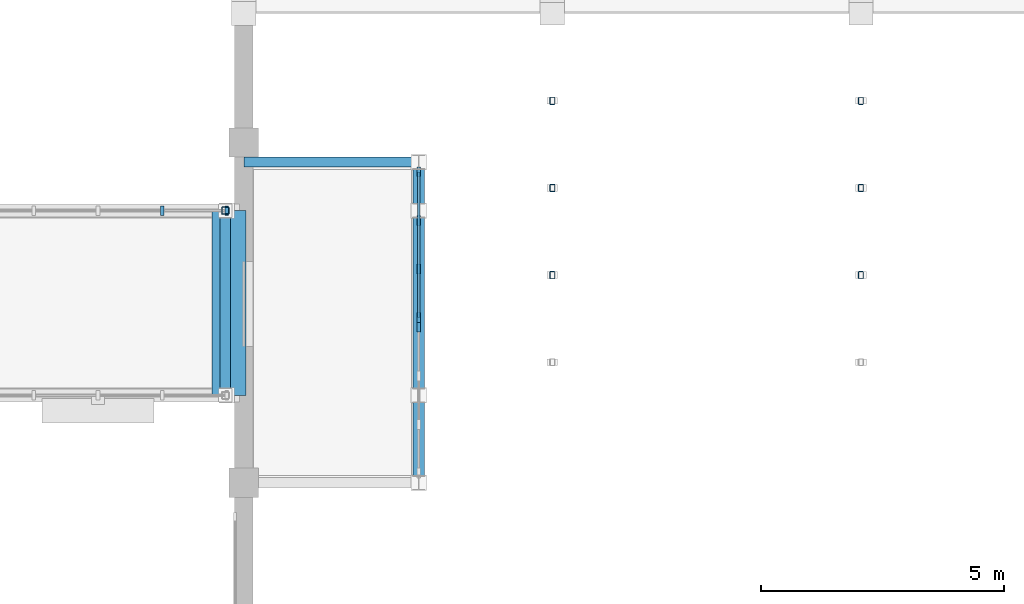
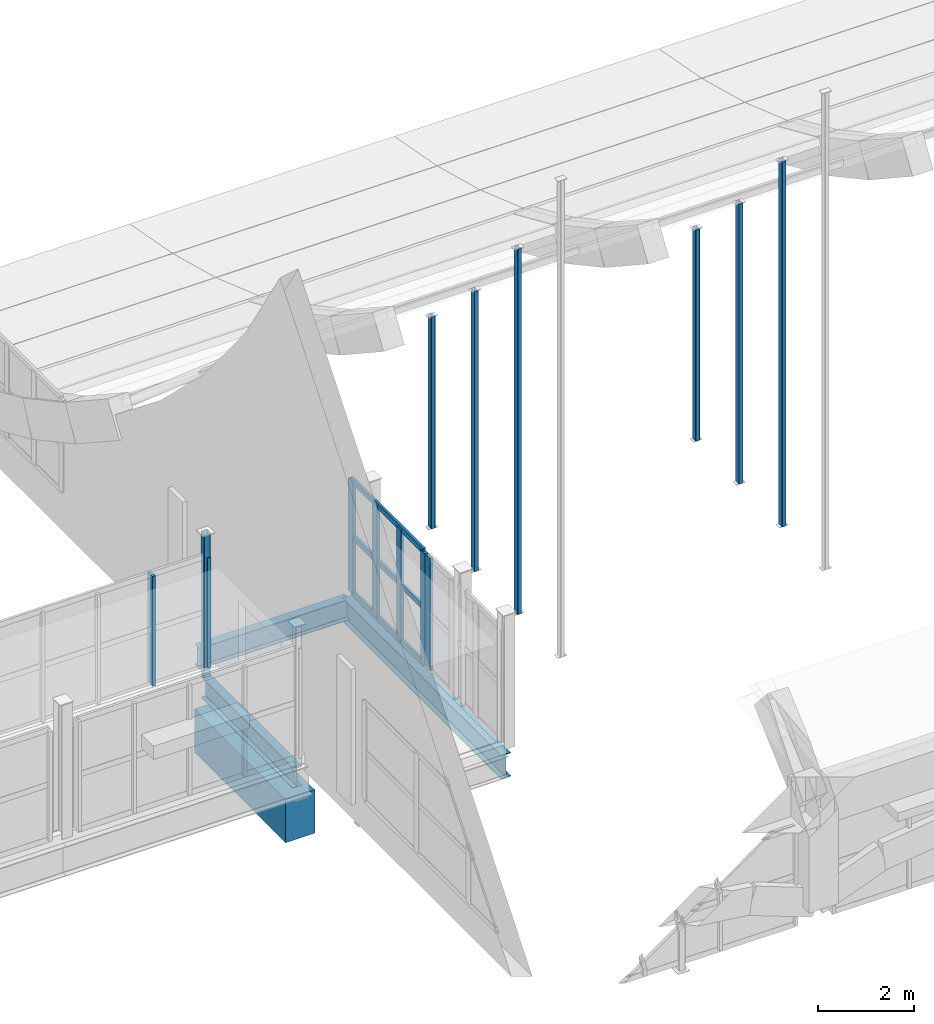
# One storey, part 19 of 77: 17 members, 4 beams, 3 elements without a shape of their own.
"""IFC4 building model written with IfcOpenShell, lengths in metres."""

from ifc_helpers import new_model, si_unit, direction, frame, origin, origin_2d, place, context, subcontext, project, spatial, rectangle, hollow_rectangle, i_section, extrude, material, layer, layer_set, material_profile, profile_set, type_object, element, aggregate, save


model = new_model("IFC4")

# Units and contexts
model_context = context("Model", 3, precision=1e-05, world=origin(), true_north=direction((0.0, 1.0)))
body_context = subcontext(model_context, "Body", "Model", "MODEL_VIEW")
ifc_project = project(units=[si_unit("LENGTHUNIT", "METRE"), si_unit("AREAUNIT", "SQUARE_METRE"), si_unit("VOLUMEUNIT", "CUBIC_METRE"), si_unit("PLANEANGLEUNIT", "RADIAN"), si_unit("MASSUNIT", "GRAM", prefix="KILO")], contexts=[model_context])

# Site, building, storey
site_placement = place(None, origin())
site = spatial("IfcSite", under=ifc_project, at=site_placement, CompositionType="ELEMENT")
building_placement = place(site_placement, origin())
building = spatial("IfcBuilding", under=site, at=building_placement, Name="Trellovar Central Fire Station", CompositionType="ELEMENT")
storey_placement = place(building_placement, frame((0.0, 0.0, 5.85009765625)))
storey = spatial("IfcBuildingStorey", under=building, at=storey_placement, Name="L02", CompositionType="ELEMENT", Elevation=5.85009765625)

# Beams
ifc_material_1 = material(Name="Concrete C40/50", Category="concrete")
ifc_material_profile_1 = material_profile(ifc_material_1, rectangle(XDim=0.699951171875, YDim=1.10009765625, at=origin_2d()), Name="RC700X1100")
ifc_profile_set_1 = profile_set([ifc_material_profile_1], Name="Concrete C40/50")
beam_type_1 = type_object("IfcBeamType", Name="BM-RG1", PredefinedType="BEAM", material=ifc_profile_set_1)
beam_1_placement = place(storey_placement, frame((34.699951171875, 23.800048828125, -1.550048828125), z_axis=(0.0, 1.0, 0.0), x_axis=(-1.0, 0.0, 0.0)))
element("IfcBeam", 1, at=beam_1_placement, inside=storey, type_object=beam_type_1, Name="Cloister bridge east 650 mm RC seat beam", PredefinedType="BEAM", context=body_context, shape_type="SweptSolid", body=[
    extrude(rectangle(XDim=0.699951171875, YDim=1.10009765625, at=origin_2d()), origin(), (0.0, 0.0, 1.0), 3.800048828125),
])
ifc_material_2 = material(Name="Steel ASTM A992 Grade 50", Category="steel")
ifc_material_profile_2 = material_profile(ifc_material_2, i_section(OverallWidth=0.227783203125, OverallDepth=0.60205078125, WebThickness=0.010498046875, FlangeThickness=0.014892578125, FilletRadius=0.01513671875, at=origin_2d()), Name="W24X68")
ifc_profile_set_2 = profile_set([ifc_material_profile_2], Name="Steel ASTM A992 Grade 50")
beam_type_2 = type_object("IfcBeamType", Name="BM-SW6", PredefinedType="BEAM", material=ifc_profile_set_2)
beam_2_placement = place(storey_placement, frame((38.60009765625, 22.0, -0.541015625), z_axis=(0.0, 1.0, 0.0), x_axis=(-1.0, 0.0, 0.0)))
element("IfcBeam", 2, at=beam_2_placement, inside=storey, type_object=beam_type_2, Name="V1 west gallery outer edge beam", PredefinedType="BEAM", context=body_context, shape_type="SweptSolid", body=[
    extrude(i_section(OverallWidth=0.227783203125, OverallDepth=0.60205078125, WebThickness=0.010498046875, FlangeThickness=0.014892578125, FilletRadius=0.01513671875, at=origin_2d()), origin(), (0.0, 0.0, 1.0), 6.60009765625),
])
ifc_material_3 = material(Name="Steel ASTM A992 Grade 50", Category="steel")
ifc_material_profile_3 = material_profile(ifc_material_3, i_section(OverallWidth=0.209228515625, OverallDepth=0.533447265625, WebThickness=0.01025390625, FlangeThickness=0.015625, FilletRadius=0.013916015625, at=origin_2d()), Name="W21X62")
ifc_profile_set_3 = profile_set([ifc_material_profile_3], Name="Steel ASTM A992 Grade 50")
beam_type_3 = type_object("IfcBeamType", Name="BM-SW7", PredefinedType="BEAM", material=ifc_profile_set_3)
beam_3_placement = place(storey_placement, frame((34.6201171875, 23.800048828125, -0.5068359375), z_axis=(0.0, 1.0, 0.0), x_axis=(-1.0, 0.0, 0.0)))
element("IfcBeam", 3, at=beam_3_placement, inside=storey, type_object=beam_type_3, Name="Cloister bridge east diaphragm beam", PredefinedType="BEAM", context=body_context, shape_type="SweptSolid", body=[
    extrude(i_section(OverallWidth=0.209228515625, OverallDepth=0.533447265625, WebThickness=0.01025390625, FlangeThickness=0.015625, FilletRadius=0.013916015625, at=origin_2d()), origin(), (0.0, 0.0, 1.0), 3.800048828125),
])
beam_4_placement = place(storey_placement, frame((35.0, 28.60009765625, -0.5068359375), z_axis=(1.0, 0.0, 0.0), x_axis=(0.0, 1.0, 0.0)))
element("IfcBeam", 4, at=beam_4_placement, inside=storey, type_object=beam_type_3, Name="V1 west gallery tie beam", PredefinedType="BEAM", context=body_context, shape_type="SweptSolid", body=[
    extrude(i_section(OverallWidth=0.209228515625, OverallDepth=0.533447265625, WebThickness=0.01025390625, FlangeThickness=0.015625, FilletRadius=0.013916015625, at=origin_2d()), origin(), (0.0, 0.0, 1.0), 3.60009765625),
])

# Curtain wall, members
ifc_material_4 = material(Name="Thermally broken bronze anodized aluminum", Category="aluminium")
ifc_layer_1 = layer(ifc_material_4, 0.159912109375)
ifc_layer_set_1 = layer_set([ifc_layer_1], Name="Thermally broken bronze anodized aluminum")
curtain_wall_type_1 = type_object("IfcCurtainWallType", Name="CW-14", PredefinedType="NOTDEFINED", material=ifc_layer_set_1)
curtain_wall_1_placement = place(storey_placement, origin())
curtain_wall_1 = element("IfcCurtainWall", 5, at=curtain_wall_1_placement, inside=storey, type_object=curtain_wall_type_1, Name="Cloister skybridge north curtain wall", PredefinedType="NOTDEFINED")
ifc_material_5 = material(Name="Thermally broken bronze anodized aluminum", Category="aluminium")
ifc_material_profile_4 = material_profile(ifc_material_5, rectangle(XDim=0.074951171875, YDim=0.199951171875, at=origin_2d()), Name="ALU75X200")
ifc_profile_set_4 = profile_set([ifc_material_profile_4], Name="Thermally broken bronze anodized aluminum")
member_type_1 = type_object("IfcMemberType", Name="CWM-1", PredefinedType="MULLION", material=ifc_profile_set_4)
member_1_placement = place(storey_placement, frame((34.64990234375, 27.60009765625, 0.0), z_axis=(0.0, 0.0, 1.0), x_axis=(1.0, 0.0, 0.0)))
member_1 = element("IfcMember", 6, at=member_1_placement, type_object=member_type_1, Name="CW3-L02-0024 mullion 1", PredefinedType="MULLION", context=body_context, shape_type="SweptSolid", body=[
    extrude(rectangle(XDim=0.074951171875, YDim=0.199951171875, at=origin_2d()), origin(), (0.0, 0.0, 1.0), 2.787841796875),
])
member_2_placement = place(storey_placement, frame((33.324951171875, 27.60009765625, 0.0), z_axis=(0.0, 0.0, 1.0), x_axis=(1.0, 0.0, 0.0)))
member_2 = element("IfcMember", 7, at=member_2_placement, type_object=member_type_1, Name="CW3-L02-0024 mullion 2", PredefinedType="MULLION", context=body_context, shape_type="SweptSolid", body=[
    extrude(rectangle(XDim=0.074951171875, YDim=0.199951171875, at=origin_2d()), origin(), (0.0, 0.0, 1.0), 2.787841796875),
])
aggregate(curtain_wall_1, [member_1, member_2])

# Curtain wall, member
ifc_material_6 = material(Name="Thermally broken bronze anodized aluminum", Category="aluminium")
ifc_layer_2 = layer(ifc_material_6, 0.159912109375)
ifc_layer_set_2 = layer_set([ifc_layer_2], Name="Thermally broken bronze anodized aluminum")
curtain_wall_type_2 = type_object("IfcCurtainWallType", Name="CW-11", PredefinedType="NOTDEFINED", material=ifc_layer_set_2)
curtain_wall_2_placement = place(storey_placement, origin())
curtain_wall_2 = element("IfcCurtainWall", 8, at=curtain_wall_2_placement, inside=storey, type_object=curtain_wall_type_2, Name="V1 west vault gallery screen S", PredefinedType="NOTDEFINED")
member_3_placement = place(storey_placement, frame((38.60009765625, 25.199951171875, 0.0), z_axis=(0.0, 0.0, 1.0), x_axis=(1.0, 0.0, 0.0)))
member_3 = element("IfcMember", 9, at=member_3_placement, type_object=member_type_1, Name="CW3-L02-0025 mullion 4", PredefinedType="MULLION", context=body_context, shape_type="SweptSolid", body=[
    extrude(rectangle(XDim=0.074951171875, YDim=0.199951171875, at=origin_2d()), origin(), (0.0, 0.0, 1.0), 2.849853515625),
])
aggregate(curtain_wall_2, [member_3])

# Curtain wall, members
curtain_wall_3_placement = place(storey_placement, origin())
curtain_wall_3 = element("IfcCurtainWall", 10, at=curtain_wall_3_placement, inside=storey, type_object=curtain_wall_type_2, Name="V1 west vault gallery screen N", PredefinedType="NOTDEFINED")
member_4_placement = place(storey_placement, frame((38.60009765625, 25.39990234375, 0.0), z_axis=(0.0, 0.0, 1.0), x_axis=(1.0, 0.0, 0.0)))
member_4 = element("IfcMember", 11, at=member_4_placement, type_object=member_type_1, Name="CW3-L02-0026 mullion 1", PredefinedType="MULLION", context=body_context, shape_type="SweptSolid", body=[
    extrude(rectangle(XDim=0.074951171875, YDim=0.199951171875, at=origin_2d()), origin(), (0.0, 0.0, 1.0), 2.849853515625),
])
member_5_placement = place(storey_placement, frame((38.60009765625, 26.39990234375, 0.0), z_axis=(0.0, 0.0, 1.0), x_axis=(1.0, 0.0, 0.0)))
member_5 = element("IfcMember", 12, at=member_5_placement, type_object=member_type_1, Name="CW3-L02-0026 mullion 2", PredefinedType="MULLION", context=body_context, shape_type="SweptSolid", body=[
    extrude(rectangle(XDim=0.074951171875, YDim=0.199951171875, at=origin_2d()), origin(), (0.0, 0.0, 1.0), 2.849853515625),
])
member_6_placement = place(storey_placement, frame((38.60009765625, 27.39990234375, 0.0), z_axis=(0.0, 0.0, 1.0), x_axis=(1.0, 0.0, 0.0)))
member_6 = element("IfcMember", 13, at=member_6_placement, type_object=member_type_1, Name="CW3-L02-0026 mullion 3", PredefinedType="MULLION", context=body_context, shape_type="SweptSolid", body=[
    extrude(rectangle(XDim=0.074951171875, YDim=0.199951171875, at=origin_2d()), origin(), (0.0, 0.0, 1.0), 2.849853515625),
])
member_7_placement = place(storey_placement, frame((38.60009765625, 28.39990234375, 0.0), z_axis=(0.0, 0.0, 1.0), x_axis=(1.0, 0.0, 0.0)))
member_7 = element("IfcMember", 14, at=member_7_placement, type_object=member_type_1, Name="CW3-L02-0026 mullion 4", PredefinedType="MULLION", context=body_context, shape_type="SweptSolid", body=[
    extrude(rectangle(XDim=0.074951171875, YDim=0.199951171875, at=origin_2d()), origin(), (0.0, 0.0, 1.0), 2.849853515625),
])
ifc_material_7 = material(Name="Thermally broken bronze anodized aluminum", Category="aluminium")
ifc_material_profile_5 = material_profile(ifc_material_7, rectangle(XDim=0.06005859375, YDim=0.139892578125, at=origin_2d()), Name="ALU60X140")
ifc_profile_set_5 = profile_set([ifc_material_profile_5], Name="Thermally broken bronze anodized aluminum")
member_type_2 = type_object("IfcMemberType", Name="CWT-1", PredefinedType="USERDEFINED", material=ifc_profile_set_5)
member_8_placement = place(storey_placement, frame((38.60009765625, 25.39990234375, 0.0), z_axis=(0.0, 1.0, 0.0), x_axis=(-1.0, 0.0, 0.0)))
member_8 = element("IfcMember", 15, at=member_8_placement, type_object=member_type_2, Name="CW3-L02-0026 transom 1", ObjectType="TRANSOM", PredefinedType="USERDEFINED", context=body_context, shape_type="SweptSolid", body=[
    extrude(rectangle(XDim=0.06005859375, YDim=0.139892578125, at=origin_2d()), origin(), (0.0, 0.0, 1.0), 3.0),
])
member_9_placement = place(storey_placement, frame((38.60009765625, 25.39990234375, 1.4248046875), z_axis=(0.0, 1.0, 0.0), x_axis=(-1.0, 0.0, 0.0)))
member_9 = element("IfcMember", 16, at=member_9_placement, type_object=member_type_2, Name="CW3-L02-0026 transom 2", ObjectType="TRANSOM", PredefinedType="USERDEFINED", context=body_context, shape_type="SweptSolid", body=[
    extrude(rectangle(XDim=0.06005859375, YDim=0.139892578125, at=origin_2d()), origin(), (0.0, 0.0, 1.0), 3.0),
])
member_10_placement = place(storey_placement, frame((38.60009765625, 25.39990234375, 2.849853515625), z_axis=(0.0, 1.0, 0.0), x_axis=(-1.0, 0.0, 0.0)))
member_10 = element("IfcMember", 17, at=member_10_placement, type_object=member_type_2, Name="CW3-L02-0026 transom 3", ObjectType="TRANSOM", PredefinedType="USERDEFINED", context=body_context, shape_type="SweptSolid", body=[
    extrude(rectangle(XDim=0.06005859375, YDim=0.139892578125, at=origin_2d()), origin(), (0.0, 0.0, 1.0), 3.0),
])
aggregate(curtain_wall_3, [member_4, member_5, member_6, member_7, member_8, member_9, member_10])

# Members
ifc_material_8 = material(Name="Steel ASTM A500 Grade C", Category="steel")
ifc_material_profile_6 = material_profile(ifc_material_8, hollow_rectangle(XDim=0.15234375, YDim=0.15234375, WallThickness=0.0087890625, InnerFilletRadius=0.0087890625, OuterFilletRadius=0.017822265625, at=origin_2d()), Name="HSS6X6X3/8")
ifc_profile_set_6 = profile_set([ifc_material_profile_6], Name="Steel ASTM A500 Grade C")
member_type_3 = type_object("IfcMemberType", Name="MEM-ST1", PredefinedType="STRUT", material=ifc_profile_set_6)
member_11_placement = place(storey_placement, frame((34.6201171875, 27.60009765625, -0.239990234375), z_axis=(0.0, 0.0, 1.0), x_axis=(1.0, 0.0, 0.0)))
element("IfcMember", 18, at=member_11_placement, inside=storey, type_object=member_type_3, Name="Cloister bridge seated portal post", PredefinedType="STRUT", context=body_context, shape_type="SweptSolid", body=[
    extrude(hollow_rectangle(XDim=0.15234375, YDim=0.15234375, WallThickness=0.0087890625, InnerFilletRadius=0.0087890625, OuterFilletRadius=0.017822265625, at=origin_2d()), origin(), (0.0, 0.0, 1.0), 3.639892578125),
])
ifc_material_9 = material(Name="Steel ASTM A500 Grade C", Category="steel")
ifc_material_profile_7 = material_profile(ifc_material_9, hollow_rectangle(XDim=0.1015625, YDim=0.15234375, WallThickness=0.005859375, InnerFilletRadius=0.005859375, OuterFilletRadius=0.01171875, at=origin_2d()), Name="HSS6X4X1/4")
ifc_profile_set_7 = profile_set([ifc_material_profile_7], Name="Steel ASTM A500 Grade C")
member_type_4 = type_object("IfcMemberType", Name="MEM-ST2", PredefinedType="STRUT", material=ifc_profile_set_7)
member_12_placement = place(storey_placement, frame((41.35009765625, 26.273193359375, -0.2001953125), z_axis=(0.0, 0.0, 1.0), x_axis=(1.0, 0.0, 0.0)))
element("IfcMember", 19, at=member_12_placement, inside=storey, type_object=member_type_4, Name="V1 tied-arch web post 02 Y=26.3", PredefinedType="STRUT", context=body_context, shape_type="SweptSolid", body=[
    extrude(hollow_rectangle(XDim=0.1015625, YDim=0.15234375, WallThickness=0.005859375, InnerFilletRadius=0.005859375, OuterFilletRadius=0.01171875, at=origin_2d()), origin(), (0.0, 0.0, 1.0), 9.2705078125),
])
member_13_placement = place(storey_placement, frame((41.35009765625, 28.066650390625, -0.2001953125), z_axis=(0.0, 0.0, 1.0), x_axis=(1.0, 0.0, 0.0)))
element("IfcMember", 20, at=member_13_placement, inside=storey, type_object=member_type_4, Name="V1 tied-arch web post 02 Y=28.1", PredefinedType="STRUT", context=body_context, shape_type="SweptSolid", body=[
    extrude(hollow_rectangle(XDim=0.1015625, YDim=0.15234375, WallThickness=0.005859375, InnerFilletRadius=0.005859375, OuterFilletRadius=0.01171875, at=origin_2d()), origin(), (0.0, 0.0, 1.0), 7.107421875),
])
member_14_placement = place(storey_placement, frame((41.35009765625, 29.860107421875, -0.2001953125), z_axis=(0.0, 0.0, 1.0), x_axis=(1.0, 0.0, 0.0)))
element("IfcMember", 21, at=member_14_placement, inside=storey, type_object=member_type_4, Name="V1 tied-arch web post 02 Y=29.9", PredefinedType="STRUT", context=body_context, shape_type="SweptSolid", body=[
    extrude(hollow_rectangle(XDim=0.1015625, YDim=0.15234375, WallThickness=0.005859375, InnerFilletRadius=0.005859375, OuterFilletRadius=0.01171875, at=origin_2d()), origin(), (0.0, 0.0, 1.0), 5.36767578125),
])
member_15_placement = place(storey_placement, frame((47.699951171875, 26.273193359375, -0.2001953125), z_axis=(0.0, 0.0, 1.0), x_axis=(1.0, 0.0, 0.0)))
element("IfcMember", 22, at=member_15_placement, inside=storey, type_object=member_type_4, Name="V1 tied-arch web post 03 Y=26.3", PredefinedType="STRUT", context=body_context, shape_type="SweptSolid", body=[
    extrude(hollow_rectangle(XDim=0.1015625, YDim=0.15234375, WallThickness=0.005859375, InnerFilletRadius=0.005859375, OuterFilletRadius=0.01171875, at=origin_2d()), origin(), (0.0, 0.0, 1.0), 9.2705078125),
])
member_16_placement = place(storey_placement, frame((47.699951171875, 28.066650390625, -0.2001953125), z_axis=(0.0, 0.0, 1.0), x_axis=(1.0, 0.0, 0.0)))
element("IfcMember", 23, at=member_16_placement, inside=storey, type_object=member_type_4, Name="V1 tied-arch web post 03 Y=28.1", PredefinedType="STRUT", context=body_context, shape_type="SweptSolid", body=[
    extrude(hollow_rectangle(XDim=0.1015625, YDim=0.15234375, WallThickness=0.005859375, InnerFilletRadius=0.005859375, OuterFilletRadius=0.01171875, at=origin_2d()), origin(), (0.0, 0.0, 1.0), 7.107421875),
])
member_17_placement = place(storey_placement, frame((47.699951171875, 29.860107421875, -0.2001953125), z_axis=(0.0, 0.0, 1.0), x_axis=(1.0, 0.0, 0.0)))
element("IfcMember", 24, at=member_17_placement, inside=storey, type_object=member_type_4, Name="V1 tied-arch web post 03 Y=29.9", PredefinedType="STRUT", context=body_context, shape_type="SweptSolid", body=[
    extrude(hollow_rectangle(XDim=0.1015625, YDim=0.15234375, WallThickness=0.005859375, InnerFilletRadius=0.005859375, OuterFilletRadius=0.01171875, at=origin_2d()), origin(), (0.0, 0.0, 1.0), 5.36767578125),
])

save(model, "model.ifc")
